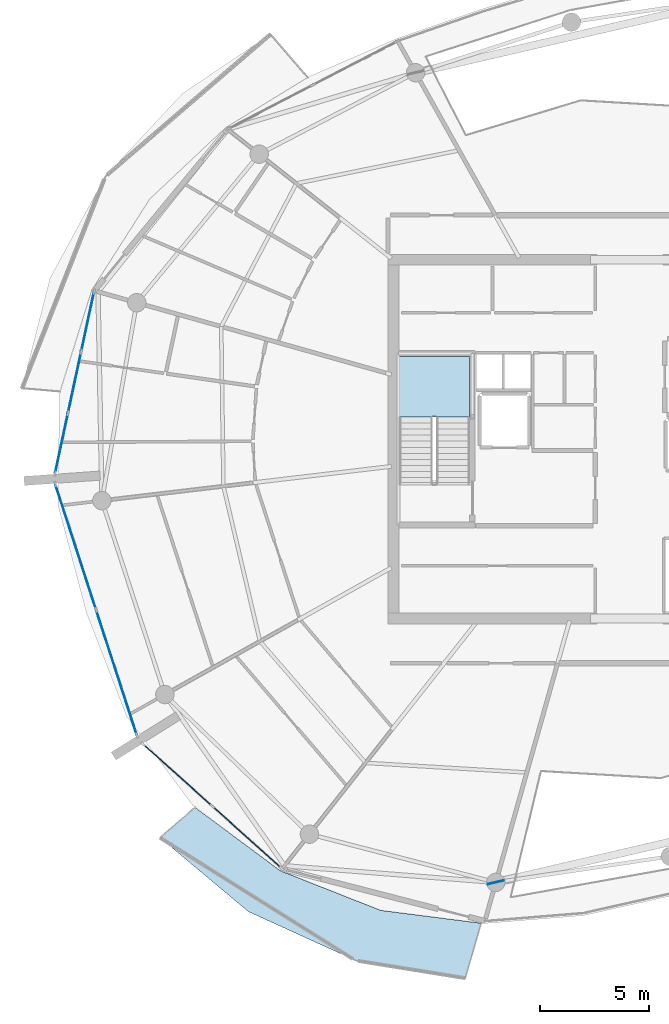
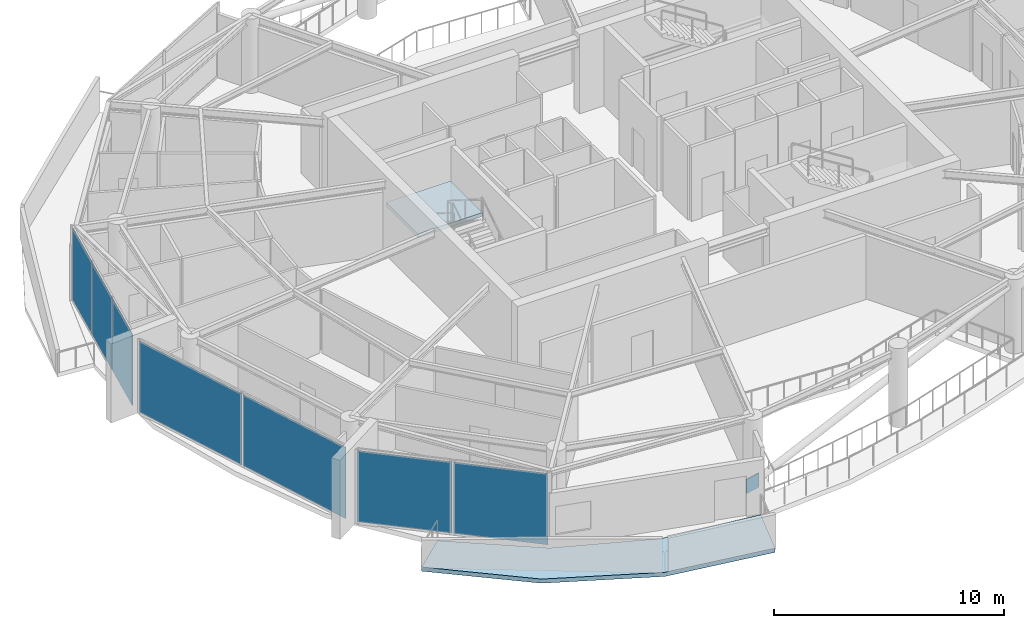
# One storey, part 9 of 22: 8 plates, 2 slabs, 4 elements without a shape of their own.
"""IFC4 building model written with IfcOpenShell, lengths in metres."""

from ifc_helpers import new_model, si_unit, direction, frame, origin, origin_2d, place, context, subcontext, project, spatial, polyline, rectangle, outline, extrude, material, layer, layer_set, type_object, element, aggregate, save


model = new_model("IFC4")

# Units and contexts
model_context = context("Model", 3, precision=1e-05, world=origin(), true_north=direction((0.0, 1.0)))
body_context = subcontext(model_context, "Body", "Model", "MODEL_VIEW")
ifc_project = project(units=[si_unit("LENGTHUNIT", "METRE"), si_unit("AREAUNIT", "SQUARE_METRE"), si_unit("VOLUMEUNIT", "CUBIC_METRE"), si_unit("PLANEANGLEUNIT", "RADIAN"), si_unit("MASSUNIT", "GRAM", prefix="KILO")], contexts=[model_context])

# Site, building, storey
site_placement = place(None, origin())
site = spatial("IfcSite", under=ifc_project, at=site_placement, CompositionType="ELEMENT")
building_placement = place(site_placement, origin())
building = spatial("IfcBuilding", under=site, at=building_placement, Name="Kazma Halo Residences", CompositionType="ELEMENT")
storey_placement = place(building_placement, frame((0.0, 0.0, 334.699951171875)))
storey = spatial("IfcBuildingStorey", under=building, at=storey_placement, Name="L84", CompositionType="ELEMENT", Elevation=334.699951171875)

# Curtain wall, plates
ifc_material_1 = material(Name="Aluminium AW-6063 T6 and Triple-Silver Low-E Glass", Category="aluminium")
ifc_layer_1 = layer(ifc_material_1, 0.239990234375)
ifc_layer_set_1 = layer_set([ifc_layer_1], Name="Aluminium AW-6063 T6 and Triple-Silver Low-E Glass")
curtain_wall_type = type_object("IfcCurtainWallType", Name="CW-SYS-6", PredefinedType="NOTDEFINED", material=ifc_layer_set_1)
curtain_wall_1_placement = place(storey_placement, origin())
curtain_wall_1 = element("IfcCurtainWall", 1, at=curtain_wall_1_placement, inside=storey, type_object=curtain_wall_type, Name="L84 unitised curtain wall B07", PredefinedType="NOTDEFINED")
ifc_material_2 = material(Name="Clear Triple-Silver Low-E Glass IGU", Category="glass")
ifc_layer_2 = layer(ifc_material_2, 0.035888671875)
ifc_layer_set_2 = layer_set([ifc_layer_2], Name="Clear Triple-Silver Low-E Glass IGU")
plate_type_1 = type_object("IfcPlateType", Name="CW-SYS-6-PNL", PredefinedType="CURTAIN_PANEL", material=ifc_layer_set_2)
plate_1_placement = place(storey_placement, frame((23.486572265625, 47.40087890625, 0.080078125), z_axis=(0.0, 0.0, 1.0), x_axis=(-0.209722888986, -0.977760865363, 0.0)))
plate_1 = element("IfcPlate", 2, at=plate_1_placement, type_object=plate_type_1, Name="CWS-6 panel 1.1", PredefinedType="CURTAIN_PANEL", context=body_context, shape_type="SweptSolid", body=[
    extrude(rectangle(XDim=2.7578125, YDim=0.035888671875, at=origin_2d()), origin(), (0.0, 0.0, 1.0), 3.780029296875),
])
plate_2_placement = place(storey_placement, frame((22.88720703125, 44.6064453125, 0.080078125), z_axis=(0.0, 0.0, 1.0), x_axis=(-0.209722888986, -0.977760865363, 0.0)))
plate_2 = element("IfcPlate", 3, at=plate_2_placement, type_object=plate_type_1, Name="CWS-6 panel 2.1", PredefinedType="CURTAIN_PANEL", context=body_context, shape_type="SweptSolid", body=[
    extrude(rectangle(XDim=2.7978515625, YDim=0.035888671875, at=origin_2d()), origin(), (0.0, 0.0, 1.0), 3.780029296875),
])
plate_3_placement = place(storey_placement, frame((22.287841796875, 41.812255859375, 0.080078125), z_axis=(0.0, 0.0, 1.0), x_axis=(-0.209722888986, -0.977760865363, 0.0)))
plate_3 = element("IfcPlate", 4, at=plate_3_placement, type_object=plate_type_1, Name="CWS-6 panel 3.1", PredefinedType="CURTAIN_PANEL", context=body_context, shape_type="SweptSolid", body=[
    extrude(rectangle(XDim=2.7578125, YDim=0.035888671875, at=origin_2d()), origin(), (0.0, 0.0, 1.0), 3.780029296875),
])
aggregate(curtain_wall_1, [plate_1, plate_2, plate_3])

curtain_wall_2_placement = place(storey_placement, origin())
curtain_wall_2 = element("IfcCurtainWall", 5, at=curtain_wall_2_placement, inside=storey, type_object=curtain_wall_type, Name="L84 unitised curtain wall B08", PredefinedType="NOTDEFINED")
plate_4_placement = place(storey_placement, frame((22.939208984375, 37.0498046875, 0.080078125), z_axis=(0.0, 0.0, 1.0), x_axis=(0.309018932797, -0.951055886462, 0.0)))
plate_4 = element("IfcPlate", 6, at=plate_4_placement, type_object=plate_type_1, Name="CWS-6 panel 1.1", PredefinedType="CURTAIN_PANEL", context=body_context, shape_type="SweptSolid", body=[
    extrude(rectangle(XDim=5.99267578125, YDim=0.035888671875, at=origin_2d()), origin(), (0.0, 0.0, 1.0), 3.780029296875),
])
plate_5_placement = place(storey_placement, frame((24.81591796875, 31.2744140625, 0.080078125), z_axis=(0.0, 0.0, 1.0), x_axis=(0.309018932797, -0.951055886462, 0.0)))
plate_5 = element("IfcPlate", 7, at=plate_5_placement, type_object=plate_type_1, Name="CWS-6 panel 2.1", PredefinedType="CURTAIN_PANEL", context=body_context, shape_type="SweptSolid", body=[
    extrude(rectangle(XDim=5.99267578125, YDim=0.035888671875, at=origin_2d()), origin(), (0.0, 0.0, 1.0), 3.780029296875),
])
aggregate(curtain_wall_2, [plate_4, plate_5])

curtain_wall_3_placement = place(storey_placement, origin())
curtain_wall_3 = element("IfcCurtainWall", 8, at=curtain_wall_3_placement, inside=storey, type_object=curtain_wall_type, Name="L84 unitised curtain wall B09", PredefinedType="NOTDEFINED")
plate_6_placement = place(storey_placement, frame((27.62353515625, 26.55810546875, 0.080078125), z_axis=(0.0, 0.0, 1.0), x_axis=(0.744378829791, -0.667757559118, 0.0)))
plate_6 = element("IfcPlate", 9, at=plate_6_placement, type_object=plate_type_1, Name="CWS-6 panel 1.1", PredefinedType="CURTAIN_PANEL", context=body_context, shape_type="SweptSolid", body=[
    extrude(rectangle(XDim=4.19677734375, YDim=0.035888671875, at=origin_2d()), origin(), (0.0, 0.0, 1.0), 3.780029296875),
])
plate_7_placement = place(storey_placement, frame((30.80712890625, 23.702392578125, 0.080078125), z_axis=(0.0, 0.0, 1.0), x_axis=(0.744378829791, -0.667757559118, 0.0)))
plate_7 = element("IfcPlate", 10, at=plate_7_placement, type_object=plate_type_1, Name="CWS-6 panel 2.1", PredefinedType="CURTAIN_PANEL", context=body_context, shape_type="SweptSolid", body=[
    extrude(rectangle(XDim=4.19677734375, YDim=0.035888671875, at=origin_2d()), origin(), (0.0, 0.0, 1.0), 3.780029296875),
])
aggregate(curtain_wall_3, [plate_6, plate_7])

# Plate
ifc_material_3 = material(Name="Steel S355", Category="steel")
ifc_layer_3 = layer(ifc_material_3, 0.0400390625)
ifc_layer_set_3 = layer_set([ifc_layer_3], Name="Steel S355")
plate_type_2 = type_object("IfcPlateType", Name="PLT-GUSSET-40", PredefinedType="SHEET", material=ifc_layer_set_3)
plate_8_placement = place(storey_placement, frame((42.25341796875, 21.62353515625, -0.074951171875), z_axis=(0.0, 0.0, 1.0), x_axis=(0.974083647521, 0.226188080216, 0.0)))
element("IfcPlate", 11, at=plate_8_placement, inside=storey, type_object=plate_type_2, Name="L84 wind-portal lower gusset SSE", PredefinedType="SHEET", context=body_context, shape_type="SweptSolid", body=[
    extrude(rectangle(XDim=0.75, YDim=0.0400390625, at=origin_2d()), origin(), (0.0, 0.0, 1.0), 0.75),
])

# Slab
ifc_material_4 = material(Name="White Concrete C50/60", Category="concrete")
ifc_layer_4 = layer(ifc_material_4, 0.219970703125)
ifc_layer_set_4 = layer_set([ifc_layer_4], Name="White Concrete C50/60")
slab_type_1 = type_object("IfcSlabType", Name="SLB-BAL-WAVE-210", PredefinedType="FLOOR", material=ifc_layer_set_4)
slab_1_placement = place(storey_placement, frame((0.0, 0.0, -0.219970703125)))
element("IfcSlab", 12, at=slab_1_placement, inside=storey, type_object=slab_type_1, Name="L84 SW cantilevered wave balcony slab", PredefinedType="FLOOR", context=body_context, shape_type="SweptSolid", body=[
    extrude(outline(polyline([(28.421630859375, 25.070556640625), (32.35302734375, 22.152099609375), (36.961181640625, 20.335205078125), (41.57666015625, 19.745849609375), (40.8486328125, 17.223876953125), (35.79052734375, 18.037841796875), (30.87548828125, 20.277587890625), (26.812744140625, 23.679443359375), (28.421630859375, 25.070556640625)])), origin(), (0.0, 0.0, 1.0), 0.219970703125),
])

# Stair, slab
ifc_material_5 = material(Name="Concrete C50/60", Category="concrete")
stair_type = type_object("IfcStairType", Name="STR-RES2", PredefinedType="HALF_TURN_STAIR", material=ifc_material_5)
stair_placement = place(storey_placement, origin())
stair = element("IfcStair", 13, at=stair_placement, inside=storey, type_object=stair_type, Name="L84 Core exit stair ST-01", PredefinedType="HALF_TURN_STAIR")
ifc_layer_5 = layer(ifc_material_5, 0.199951171875)
ifc_layer_set_5 = layer_set([ifc_layer_5], Name="Concrete C50/60")
slab_type_2 = type_object("IfcSlabType", Name="SLB-STAIR-LND-200", PredefinedType="LANDING", material=ifc_layer_set_5)
slab_2_placement = place(storey_placement, frame((0.0, 0.0, 1.900146484375)))
slab_2 = element("IfcSlab", 14, at=slab_2_placement, type_object=slab_type_2, Name="ST-01 landing 1", PredefinedType="LANDING", context=body_context, shape_type="SweptSolid", body=[
    extrude(outline(polyline([(41.050048828125, 43.030029296875), (41.050048828125, 45.800048828125), (37.800048828125, 45.800048828125), (37.800048828125, 43.030029296875), (41.050048828125, 43.030029296875)])), origin(), (0.0, 0.0, 1.0), 0.199951171875),
])
aggregate(stair, [slab_2])

save(model, "model.ifc")
